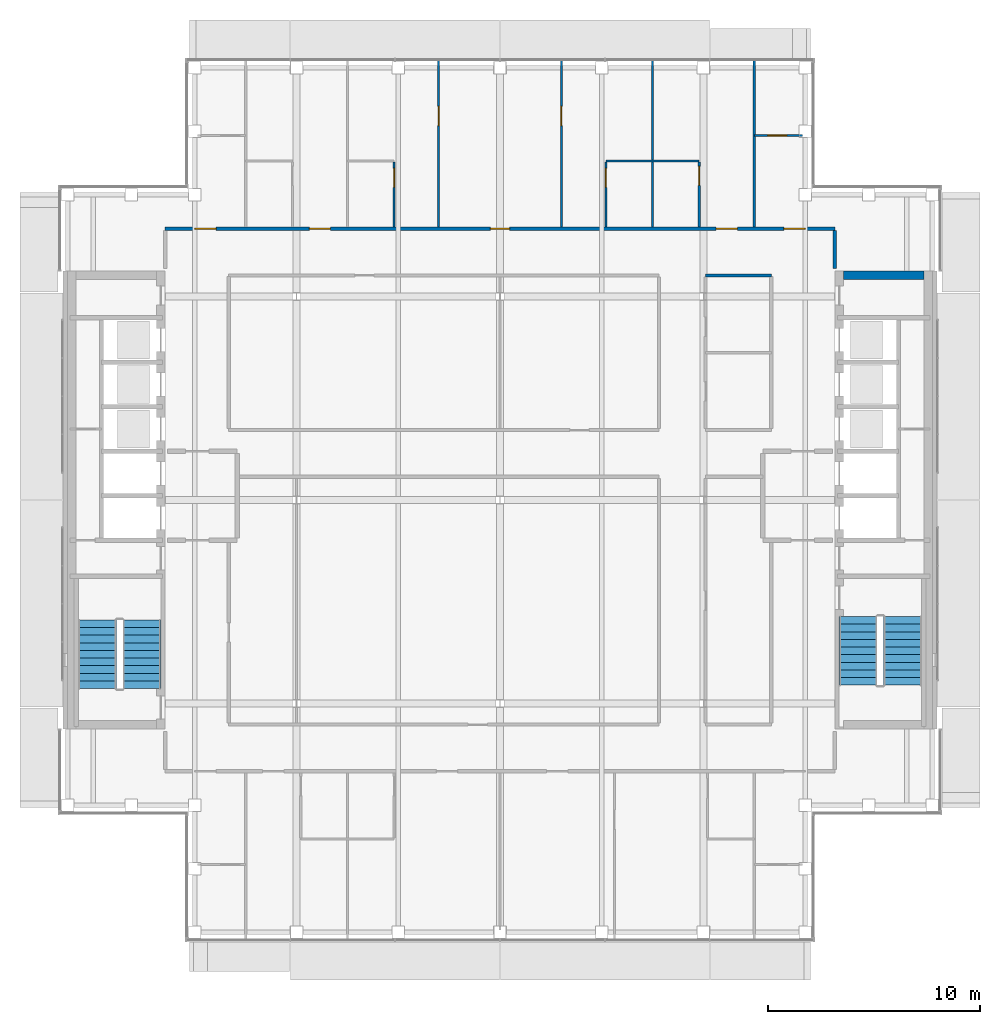
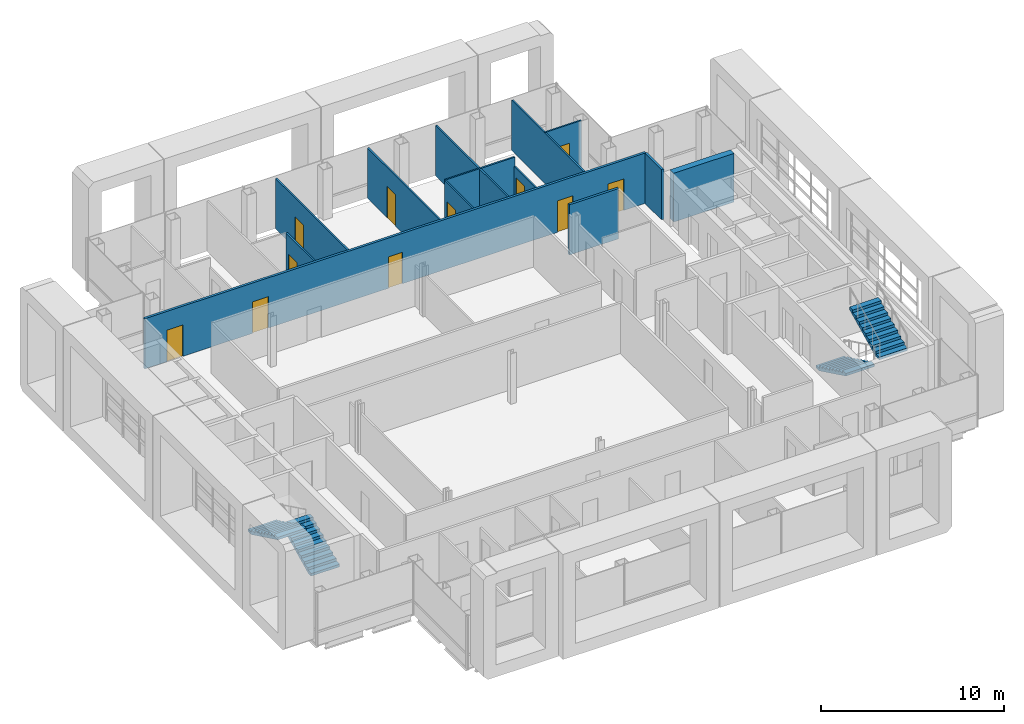
# One storey, part 12 of 21: 14 walls, 11 doors, 4 stair flights, 11 openings, 2 elements without a shape of their own.
"""IFC4 building model written with IfcOpenShell, lengths in metres."""

from ifc_helpers import new_model, si_unit, direction, frame, frame_2d, origin, place, context, subcontext, project, spatial, polyline, rectangle, outline, extrude, material, layer, layer_set, type_object, element, fill, aggregate, save


model = new_model("IFC4")

# Units and contexts
model_context = context("Model", 3, precision=1e-05, world=origin(), true_north=direction((0.0, 1.0)))
body_context = subcontext(model_context, "Body", "Model", "MODEL_VIEW")
ifc_project = project(units=[si_unit("LENGTHUNIT", "METRE"), si_unit("AREAUNIT", "SQUARE_METRE"), si_unit("VOLUMEUNIT", "CUBIC_METRE"), si_unit("PLANEANGLEUNIT", "RADIAN"), si_unit("MASSUNIT", "GRAM", prefix="KILO")], contexts=[model_context])

# Site, building, storey
site_placement = place(None, origin())
site = spatial("IfcSite", under=ifc_project, at=site_placement, CompositionType="ELEMENT")
building_placement = place(site_placement, origin())
building = spatial("IfcBuilding", under=site, at=building_placement, Name="Cobrizo Arcos Hotel Tower", CompositionType="ELEMENT")
storey_placement = place(building_placement, frame((0.0, 0.0, 248.0)))
storey = spatial("IfcBuildingStorey", under=building, at=storey_placement, Name="L65", CompositionType="ELEMENT", Elevation=248.0)

# Wall
ifc_material_1 = material(Name="Gypsum board partition")
ifc_layer_1 = layer(ifc_material_1, 0.14990234375)
ifc_layer_set_1 = layer_set([ifc_layer_1], Name="Corridor wall EI 60 150")
wall_type_1 = type_object("IfcWallType", Name="Corridor wall EI 60 150", PredefinedType="PARTITIONING", material=ifc_layer_set_1)
wall_1_placement = place(storey_placement, frame((9.699951171875, 10.60009765625, 0.0), z_axis=(0.0, 0.0, 1.0), x_axis=(1.0, 0.0, 0.0)))
element("IfcWall", 1, at=wall_1_placement, inside=storey, type_object=wall_type_1, Name="Partition 034", PredefinedType="PARTITIONING", context=body_context, shape_type="SweptSolid", body=[
    extrude(rectangle(XDim=3.10009765625, YDim=0.14990234375, at=frame_2d((1.550048828125, 0.0))), origin(), (0.0, 0.0, 1.0), 3.35009765625),
])

# Wall, openings, doors
wall_2_placement = place(storey_placement, frame((-15.800048828125, 12.800048828125, 0.0), z_axis=(0.0, 0.0, 1.0), x_axis=(1.0, 0.0, 0.0)))
wall_2 = element("IfcWall", 2, at=wall_2_placement, inside=storey, type_object=wall_type_1, Name="Partition 035", PredefinedType="PARTITIONING", context=body_context, shape_type="SweptSolid", body=[
    extrude(rectangle(XDim=31.60009765625, YDim=0.14990234375, at=frame_2d((15.800048828125, 0.0))), origin(), (0.0, 0.0, 1.0), 3.35009765625),
])
opening_1_placement = place(wall_2_placement, frame((6.800048828125, 0.0, 0.0)))
opening_1 = element("IfcOpeningElement", 3, at=opening_1_placement, cuts=wall_2, Name="Opening GD-01", PredefinedType="OPENING", context=body_context, shape_type="SweptSolid", body=[
    extrude(rectangle(XDim=1.0, YDim=2.10009765625, at=frame_2d((0.5, 1.050048828125))), frame((0.0, 0.0869140625, 0.0), z_axis=(0.0, -1.0, 0.0), x_axis=(1.0, 0.0, 0.0)), (0.0, 0.0, 1.0), 0.173828125),
])
opening_2_placement = place(wall_2_placement, frame((15.35009765625, 0.0, 0.0)))
opening_2 = element("IfcOpeningElement", 4, at=opening_2_placement, cuts=wall_2, Name="Opening RD-07", PredefinedType="OPENING", context=body_context, shape_type="SweptSolid", body=[
    extrude(rectangle(XDim=0.89990234375, YDim=2.10009765625, at=frame_2d((0.449951171875, 1.050048828125))), frame((0.0, 0.0869140625, 0.0), z_axis=(0.0, -1.0, 0.0), x_axis=(1.0, 0.0, 0.0)), (0.0, 0.0, 1.0), 0.173828125),
])
opening_3_placement = place(wall_2_placement, frame((26.0, 0.0, 0.0)))
opening_3 = element("IfcOpeningElement", 5, at=opening_3_placement, cuts=wall_2, Name="Opening GD-02", PredefinedType="OPENING", context=body_context, shape_type="SweptSolid", body=[
    extrude(rectangle(XDim=1.0, YDim=2.10009765625, at=frame_2d((0.5, 1.050048828125))), frame((0.0, 0.0869140625, 0.0), z_axis=(0.0, -1.0, 0.0), x_axis=(1.0, 0.0, 0.0)), (0.0, 0.0, 1.0), 0.173828125),
])
opening_4_placement = place(wall_2_placement, frame((1.39990234375, 0.0, 0.0)))
opening_4 = element("IfcOpeningElement", 6, at=opening_4_placement, cuts=wall_2, Name="Opening GD-07", PredefinedType="OPENING", context=body_context, shape_type="SweptSolid", body=[
    extrude(rectangle(XDim=1.0, YDim=2.10009765625, at=frame_2d((0.5, 1.050048828125))), frame((0.0, 0.0869140625, 0.0), z_axis=(0.0, -1.0, 0.0), x_axis=(1.0, 0.0, 0.0)), (0.0, 0.0, 1.0), 0.173828125),
])
opening_5_placement = place(wall_2_placement, frame((29.199951171875, 0.0, 0.0)))
opening_5 = element("IfcOpeningElement", 7, at=opening_5_placement, cuts=wall_2, Name="Opening GD-09", PredefinedType="OPENING", context=body_context, shape_type="SweptSolid", body=[
    extrude(rectangle(XDim=1.0, YDim=2.10009765625, at=frame_2d((0.5, 1.050048828125))), frame((0.0, 0.0869140625, 0.0), z_axis=(0.0, -1.0, 0.0), x_axis=(1.0, 0.0, 0.0)), (0.0, 0.0, 1.0), 0.173828125),
])
ifc_material_2 = material(Name="Timber door leaf", Category="wood")
door_type_1 = type_object("IfcDoorType", Name="Guest room door FD30S 1000x2100", OperationType="SINGLE_SWING_LEFT", PredefinedType="DOOR", material=ifc_material_2)
door_1_placement = place(opening_1_placement, origin())
door_1 = element("IfcDoor", 8, at=door_1_placement, inside=storey, type_object=door_type_1, Name="Door GD-01", OperationType="SINGLE_SWING_LEFT", OverallHeight=2.10009765625, OverallWidth=1.0, PredefinedType="DOOR", context=body_context, shape_type="SweptSolid", body=[
    extrude(rectangle(XDim=1.0, YDim=2.10009765625, at=frame_2d((0.5, 1.050048828125))), frame((0.0, 0.02490234375, 0.0), z_axis=(0.0, -1.0, 0.0), x_axis=(1.0, 0.0, 0.0)), (0.0, 0.0, 1.0), 0.050048828125),
])
fill(opening_1, door_1)
door_2_placement = place(opening_3_placement, origin())
door_2 = element("IfcDoor", 9, at=door_2_placement, inside=storey, type_object=door_type_1, Name="Door GD-02", OperationType="SINGLE_SWING_LEFT", OverallHeight=2.10009765625, OverallWidth=1.0, PredefinedType="DOOR", context=body_context, shape_type="SweptSolid", body=[
    extrude(rectangle(XDim=1.0, YDim=2.10009765625, at=frame_2d((0.5, 1.050048828125))), frame((0.0, 0.02490234375, 0.0), z_axis=(0.0, -1.0, 0.0), x_axis=(1.0, 0.0, 0.0)), (0.0, 0.0, 1.0), 0.050048828125),
])
fill(opening_3, door_2)
door_3_placement = place(opening_4_placement, origin())
door_3 = element("IfcDoor", 10, at=door_3_placement, inside=storey, type_object=door_type_1, Name="Door GD-07", OperationType="SINGLE_SWING_RIGHT", OverallHeight=2.10009765625, OverallWidth=1.0, PredefinedType="DOOR", context=body_context, shape_type="SweptSolid", body=[
    extrude(rectangle(XDim=1.0, YDim=2.10009765625, at=frame_2d((0.5, 1.050048828125))), frame((0.0, 0.02490234375, 0.0), z_axis=(0.0, -1.0, 0.0), x_axis=(1.0, 0.0, 0.0)), (0.0, 0.0, 1.0), 0.050048828125),
])
fill(opening_4, door_3)
door_4_placement = place(opening_5_placement, origin())
door_4 = element("IfcDoor", 11, at=door_4_placement, inside=storey, type_object=door_type_1, Name="Door GD-09", OperationType="SINGLE_SWING_LEFT", OverallHeight=2.10009765625, OverallWidth=1.0, PredefinedType="DOOR", context=body_context, shape_type="SweptSolid", body=[
    extrude(rectangle(XDim=1.0, YDim=2.10009765625, at=frame_2d((0.5, 1.050048828125))), frame((0.0, 0.02490234375, 0.0), z_axis=(0.0, -1.0, 0.0), x_axis=(1.0, 0.0, 0.0)), (0.0, 0.0, 1.0), 0.050048828125),
])
fill(opening_5, door_4)
door_type_2 = type_object("IfcDoorType", Name="Room door FD30 900x2100", OperationType="SINGLE_SWING_LEFT", PredefinedType="DOOR", material=ifc_material_2)
door_5_placement = place(opening_2_placement, origin())
door_5 = element("IfcDoor", 12, at=door_5_placement, inside=storey, type_object=door_type_2, Name="Door RD-07", OperationType="SINGLE_SWING_RIGHT", OverallHeight=2.10009765625, OverallWidth=0.89990234375, PredefinedType="DOOR", context=body_context, shape_type="SweptSolid", body=[
    extrude(rectangle(XDim=0.89990234375, YDim=2.10009765625, at=frame_2d((0.449951171875, 1.050048828125))), frame((0.0, 0.02490234375, 0.0), z_axis=(0.0, -1.0, 0.0), x_axis=(1.0, 0.0, 0.0)), (0.0, 0.0, 1.0), 0.050048828125),
])
fill(opening_2, door_5)

# Walls
wall_3_placement = place(storey_placement, frame((15.800048828125, 10.919921875, 0.0), z_axis=(0.0, 0.0, 1.0), x_axis=(0.0, 1.0, 0.0)))
element("IfcWall", 13, at=wall_3_placement, inside=storey, type_object=wall_type_1, Name="Partition 090", PredefinedType="PARTITIONING", context=body_context, shape_type="SweptSolid", body=[
    extrude(rectangle(XDim=1.80517578125, YDim=0.14990234375, at=frame_2d((0.902587890625, 0.0))), origin(), (0.0, 0.0, 1.0), 3.35009765625),
])
ifc_layer_2 = layer(ifc_material_1, 0.10009765625)
ifc_layer_set_2 = layer_set([ifc_layer_2], Name="Partition EI 30 100")
wall_type_2 = type_object("IfcWallType", Name="Partition EI 30 100", PredefinedType="PARTITIONING", material=ifc_layer_set_2)
wall_4_placement = place(storey_placement, frame((5.0, 16.0, 0.0), z_axis=(0.0, 0.0, 1.0), x_axis=(1.0, 0.0, 0.0)))
element("IfcWall", 14, at=wall_4_placement, inside=storey, type_object=wall_type_2, Name="Partition 038", PredefinedType="PARTITIONING", context=body_context, shape_type="SweptSolid", body=[
    extrude(rectangle(XDim=4.39990234375, YDim=0.10009765625, at=frame_2d((2.199951171875, 0.0))), origin(), (0.0, 0.0, 1.0), 3.35009765625),
])

# Wall, opening, door
wall_5_placement = place(storey_placement, frame((12.0, 17.199951171875, 0.0), z_axis=(0.0, 0.0, 1.0), x_axis=(1.0, 0.0, 0.0)))
wall_5 = element("IfcWall", 15, at=wall_5_placement, inside=storey, type_object=wall_type_2, Name="Partition 040", PredefinedType="PARTITIONING", context=body_context, shape_type="SweptSolid", body=[
    extrude(rectangle(XDim=2.280029296875, YDim=0.10009765625, at=frame_2d((1.14013671875, 0.0))), origin(), (0.0, 0.0, 1.0), 3.35009765625),
])
opening_6_placement = place(wall_5_placement, frame((0.6298828125, 0.0, 0.0)))
opening_6 = element("IfcOpeningElement", 16, at=opening_6_placement, cuts=wall_5, Name="Opening ED-11", PredefinedType="OPENING", context=body_context, shape_type="SweptSolid", body=[
    extrude(rectangle(XDim=0.89990234375, YDim=2.10009765625, at=frame_2d((0.449951171875, 1.050048828125))), frame((0.0, 0.06201171875, 0.0), z_axis=(0.0, -1.0, 0.0), x_axis=(1.0, 0.0, 0.0)), (0.0, 0.0, 1.0), 0.1240234375),
])
door_type_3 = type_object("IfcDoorType", Name="En-suite door 900x2100", OperationType="SINGLE_SWING_LEFT", PredefinedType="DOOR", material=ifc_material_2)
door_6_placement = place(opening_6_placement, origin())
door_6 = element("IfcDoor", 17, at=door_6_placement, inside=storey, type_object=door_type_3, Name="Door ED-11", OperationType="SINGLE_SWING_LEFT", OverallHeight=2.10009765625, OverallWidth=0.89990234375, PredefinedType="DOOR", context=body_context, shape_type="SweptSolid", body=[
    extrude(rectangle(XDim=0.89990234375, YDim=2.10009765625, at=frame_2d((0.449951171875, 1.050048828125))), frame((0.0, 0.02490234375, 0.0), z_axis=(0.0, -1.0, 0.0), x_axis=(1.0, 0.0, 0.0)), (0.0, 0.0, 1.0), 0.050048828125),
])
fill(opening_6, door_6)

wall_6_placement = place(storey_placement, frame((-5.0, 12.875, 0.0), z_axis=(0.0, 0.0, 1.0), x_axis=(0.0, 1.0, 0.0)))
wall_6 = element("IfcWall", 18, at=wall_6_placement, inside=storey, type_object=wall_type_2, Name="Partition 061", PredefinedType="PARTITIONING", context=body_context, shape_type="SweptSolid", body=[
    extrude(rectangle(XDim=3.074951171875, YDim=0.10009765625, at=frame_2d((1.53759765625, 0.0))), origin(), (0.0, 0.0, 1.0), 3.35009765625),
])
opening_7_placement = place(wall_6_placement, frame((1.875, 0.0, 0.0)))
opening_7 = element("IfcOpeningElement", 19, at=opening_7_placement, cuts=wall_6, Name="Opening ED-02", PredefinedType="OPENING", context=body_context, shape_type="SweptSolid", body=[
    extrude(rectangle(XDim=0.89990234375, YDim=2.10009765625, at=frame_2d((0.449951171875, 1.050048828125))), frame((0.0, 0.06201171875, 0.0), z_axis=(0.0, -1.0, 0.0), x_axis=(1.0, 0.0, 0.0)), (0.0, 0.0, 1.0), 0.1240234375),
])
door_7_placement = place(opening_7_placement, origin())
door_7 = element("IfcDoor", 20, at=door_7_placement, inside=storey, type_object=door_type_3, Name="Door ED-02", OperationType="SINGLE_SWING_RIGHT", OverallHeight=2.10009765625, OverallWidth=0.89990234375, PredefinedType="DOOR", context=body_context, shape_type="SweptSolid", body=[
    extrude(rectangle(XDim=0.89990234375, YDim=2.10009765625, at=frame_2d((0.449951171875, 1.050048828125))), frame((0.0, 0.02490234375, 0.0), z_axis=(0.0, -1.0, 0.0), x_axis=(1.0, 0.0, 0.0)), (0.0, 0.0, 1.0), 0.050048828125),
])
fill(opening_7, door_7)

wall_7_placement = place(storey_placement, frame((-2.89990234375, 12.875, 0.0), z_axis=(0.0, 0.0, 1.0), x_axis=(0.0, 1.0, 0.0)))
wall_7 = element("IfcWall", 21, at=wall_7_placement, inside=storey, type_object=wall_type_2, Name="Partition 062", PredefinedType="PARTITIONING", context=body_context, shape_type="SweptSolid", body=[
    extrude(rectangle(XDim=7.85498046875, YDim=0.10009765625, at=frame_2d((3.927490234375, 0.0))), origin(), (0.0, 0.0, 1.0), 3.35009765625),
])
opening_8_placement = place(wall_7_placement, frame((4.794921875, 0.0, 0.0)))
opening_8 = element("IfcOpeningElement", 22, at=opening_8_placement, cuts=wall_7, Name="Opening RD-08", PredefinedType="OPENING", context=body_context, shape_type="SweptSolid", body=[
    extrude(rectangle(XDim=0.89990234375, YDim=2.10009765625, at=frame_2d((0.449951171875, 1.050048828125))), frame((0.0, 0.06201171875, 0.0), z_axis=(0.0, -1.0, 0.0), x_axis=(1.0, 0.0, 0.0)), (0.0, 0.0, 1.0), 0.1240234375),
])
door_8_placement = place(opening_8_placement, origin())
door_8 = element("IfcDoor", 23, at=door_8_placement, inside=storey, type_object=door_type_2, Name="Door RD-08", OperationType="SINGLE_SWING_LEFT", OverallHeight=2.10009765625, OverallWidth=0.89990234375, PredefinedType="DOOR", context=body_context, shape_type="SweptSolid", body=[
    extrude(rectangle(XDim=0.89990234375, YDim=2.10009765625, at=frame_2d((0.449951171875, 1.050048828125))), frame((0.0, 0.02490234375, 0.0), z_axis=(0.0, -1.0, 0.0), x_axis=(1.0, 0.0, 0.0)), (0.0, 0.0, 1.0), 0.050048828125),
])
fill(opening_8, door_8)

wall_8_placement = place(storey_placement, frame((2.89990234375, 12.875, 0.0), z_axis=(0.0, 0.0, 1.0), x_axis=(0.0, 1.0, 0.0)))
wall_8 = element("IfcWall", 24, at=wall_8_placement, inside=storey, type_object=wall_type_2, Name="Partition 067", PredefinedType="PARTITIONING", context=body_context, shape_type="SweptSolid", body=[
    extrude(rectangle(XDim=7.85498046875, YDim=0.10009765625, at=frame_2d((3.927490234375, 0.0))), origin(), (0.0, 0.0, 1.0), 3.35009765625),
])
opening_9_placement = place(wall_8_placement, frame((4.794921875, 0.0, 0.0)))
opening_9 = element("IfcOpeningElement", 25, at=opening_9_placement, cuts=wall_8, Name="Opening RD-09", PredefinedType="OPENING", context=body_context, shape_type="SweptSolid", body=[
    extrude(rectangle(XDim=0.89990234375, YDim=2.10009765625, at=frame_2d((0.449951171875, 1.050048828125))), frame((0.0, 0.06201171875, 0.0), z_axis=(0.0, -1.0, 0.0), x_axis=(1.0, 0.0, 0.0)), (0.0, 0.0, 1.0), 0.1240234375),
])
door_9_placement = place(opening_9_placement, origin())
door_9 = element("IfcDoor", 26, at=door_9_placement, inside=storey, type_object=door_type_2, Name="Door RD-09", OperationType="SINGLE_SWING_LEFT", OverallHeight=2.10009765625, OverallWidth=0.89990234375, PredefinedType="DOOR", context=body_context, shape_type="SweptSolid", body=[
    extrude(rectangle(XDim=0.89990234375, YDim=2.10009765625, at=frame_2d((0.449951171875, 1.050048828125))), frame((0.0, 0.02490234375, 0.0), z_axis=(0.0, -1.0, 0.0), x_axis=(1.0, 0.0, 0.0)), (0.0, 0.0, 1.0), 0.050048828125),
])
fill(opening_9, door_9)

wall_9_placement = place(storey_placement, frame((5.0, 12.875, 0.0), z_axis=(0.0, 0.0, 1.0), x_axis=(0.0, 1.0, 0.0)))
wall_9 = element("IfcWall", 27, at=wall_9_placement, inside=storey, type_object=wall_type_2, Name="Partition 068", PredefinedType="PARTITIONING", context=body_context, shape_type="SweptSolid", body=[
    extrude(rectangle(XDim=3.074951171875, YDim=0.10009765625, at=frame_2d((1.53759765625, 0.0))), origin(), (0.0, 0.0, 1.0), 3.35009765625),
])
opening_10_placement = place(wall_9_placement, frame((1.875, 0.0, 0.0)))
opening_10 = element("IfcOpeningElement", 28, at=opening_10_placement, cuts=wall_9, Name="Opening ED-03", PredefinedType="OPENING", context=body_context, shape_type="SweptSolid", body=[
    extrude(rectangle(XDim=0.89990234375, YDim=2.10009765625, at=frame_2d((0.449951171875, 1.050048828125))), frame((0.0, 0.06201171875, 0.0), z_axis=(0.0, -1.0, 0.0), x_axis=(1.0, 0.0, 0.0)), (0.0, 0.0, 1.0), 0.1240234375),
])
door_10_placement = place(opening_10_placement, origin())
door_10 = element("IfcDoor", 29, at=door_10_placement, inside=storey, type_object=door_type_3, Name="Door ED-03", OperationType="SINGLE_SWING_RIGHT", OverallHeight=2.10009765625, OverallWidth=0.89990234375, PredefinedType="DOOR", context=body_context, shape_type="SweptSolid", body=[
    extrude(rectangle(XDim=0.89990234375, YDim=2.10009765625, at=frame_2d((0.449951171875, 1.050048828125))), frame((0.0, 0.02490234375, 0.0), z_axis=(0.0, -1.0, 0.0), x_axis=(1.0, 0.0, 0.0)), (0.0, 0.0, 1.0), 0.050048828125),
])
fill(opening_10, door_10)

# Walls
wall_10_placement = place(storey_placement, frame((7.199951171875, 12.875, 0.0), z_axis=(0.0, 0.0, 1.0), x_axis=(0.0, 1.0, 0.0)))
element("IfcWall", 30, at=wall_10_placement, inside=storey, type_object=wall_type_2, Name="Partition 070", PredefinedType="PARTITIONING", context=body_context, shape_type="SweptSolid", body=[
    extrude(rectangle(XDim=3.074951171875, YDim=0.10009765625, at=frame_2d((1.53759765625, 0.0))), origin(), (0.0, 0.0, 1.0), 3.35009765625),
])
wall_11_placement = place(storey_placement, frame((7.199951171875, 16.050048828125, 0.0), z_axis=(0.0, 0.0, 1.0), x_axis=(0.0, 1.0, 0.0)))
element("IfcWall", 31, at=wall_11_placement, inside=storey, type_object=wall_type_2, Name="Partition 071", PredefinedType="PARTITIONING", context=body_context, shape_type="SweptSolid", body=[
    extrude(rectangle(XDim=4.679931640625, YDim=0.10009765625, at=frame_2d((2.33984375, 0.0))), origin(), (0.0, 0.0, 1.0), 3.35009765625),
])

# Wall, opening, door
wall_12_placement = place(storey_placement, frame((9.39990234375, 12.875, 0.0), z_axis=(0.0, 0.0, 1.0), x_axis=(0.0, 1.0, 0.0)))
wall_12 = element("IfcWall", 32, at=wall_12_placement, inside=storey, type_object=wall_type_2, Name="Partition 074", PredefinedType="PARTITIONING", context=body_context, shape_type="SweptSolid", body=[
    extrude(rectangle(XDim=3.074951171875, YDim=0.10009765625, at=frame_2d((1.53759765625, 0.0))), origin(), (0.0, 0.0, 1.0), 2.72802734375),
])
opening_11_placement = place(wall_12_placement, frame((1.970947265625, 0.0, 0.0)))
opening_11 = element("IfcOpeningElement", 33, at=opening_11_placement, cuts=wall_12, Name="Opening ED-04", PredefinedType="OPENING", context=body_context, shape_type="SweptSolid", body=[
    extrude(rectangle(XDim=0.89990234375, YDim=2.10009765625, at=frame_2d((0.449951171875, 1.050048828125))), frame((0.0, 0.06201171875, 0.0), z_axis=(0.0, -1.0, 0.0), x_axis=(1.0, 0.0, 0.0)), (0.0, 0.0, 1.0), 0.1240234375),
])
door_11_placement = place(opening_11_placement, origin())
door_11 = element("IfcDoor", 34, at=door_11_placement, inside=storey, type_object=door_type_3, Name="Door ED-04", OperationType="SINGLE_SWING_LEFT", OverallHeight=2.10009765625, OverallWidth=0.89990234375, PredefinedType="DOOR", context=body_context, shape_type="SweptSolid", body=[
    extrude(rectangle(XDim=0.89990234375, YDim=2.10009765625, at=frame_2d((0.449951171875, 1.050048828125))), frame((0.0, 0.02490234375, 0.0), z_axis=(0.0, -1.0, 0.0), x_axis=(1.0, 0.0, 0.0)), (0.0, 0.0, 1.0), 0.050048828125),
])
fill(opening_11, door_11)

# Walls
wall_13_placement = place(storey_placement, frame((12.0, 12.875, 0.0), z_axis=(0.0, 0.0, 1.0), x_axis=(0.0, 1.0, 0.0)))
element("IfcWall", 35, at=wall_13_placement, inside=storey, type_object=wall_type_2, Name="Partition 085", PredefinedType="PARTITIONING", context=body_context, shape_type="SweptSolid", body=[
    extrude(rectangle(XDim=7.85498046875, YDim=0.10009765625, at=frame_2d((3.927490234375, 0.0))), origin(), (0.0, 0.0, 1.0), 3.35009765625),
])
ifc_material_3 = material(Name="Concrete f'c 40 MPa", Category="concrete")
ifc_layer_3 = layer(ifc_material_3, 0.39990234375)
ifc_layer_set_3 = layer_set([ifc_layer_3], Name="RC core wall 400 f'c 40")
wall_type_3 = type_object("IfcWallType", Name="RC core wall 400 f'c 40", PredefinedType="SHEAR", material=ifc_layer_set_3)
wall_14_placement = place(storey_placement, frame((16.199951171875, 10.60009765625, 0.0), z_axis=(0.0, 0.0, 1.0), x_axis=(1.0, 0.0, 0.0)))
element("IfcWall", 36, at=wall_14_placement, inside=storey, type_object=wall_type_3, Name="Core wall CW4, east core, north end, L65", PredefinedType="SHEAR", context=body_context, shape_type="SweptSolid", body=[
    extrude(rectangle(XDim=3.800048828125, YDim=0.39990234375, at=frame_2d((1.89990234375, 0.0))), origin(), (0.0, 0.0, 1.0), 3.25),
])

# Stair, stair flights
stair_type = type_object("IfcStairType", Name="Exit stair", PredefinedType="HALF_TURN_STAIR", material=ifc_material_3)
stair_1_placement = place(storey_placement, origin())
stair_1 = element("IfcStair", 37, at=stair_1_placement, inside=storey, type_object=stair_type, Name="L65 Exit stair ST-W", PredefinedType="HALF_TURN_STAIR")
stair_flight_type = type_object("IfcStairFlightType", Name="Exit stair flight", PredefinedType="STRAIGHT", material=ifc_material_3)
stair_flight_1_placement = place(storey_placement, frame((-16.89990234375, -8.89990234375, 0.0), z_axis=(0.0, 0.0, 1.0), x_axis=(0.0, 1.0, 0.0)))
stair_flight_1 = element("IfcStairFlight", 38, at=stair_flight_1_placement, type_object=stair_flight_type, Name="ST-W flight 1", NumberOfRisers=10, NumberOfTreads=9, PredefinedType="STRAIGHT", RiserHeight=0.175, TreadLength=0.36, context=body_context, shape_type="SweptSolid", body=[
    extrude(outline(polyline([(0.0, 0.0), (0.0, 0.175048828125), (0.360107421875, 0.175048828125), (0.360107421875, 0.35009765625), (0.719970703125, 0.35009765625), (0.719970703125, 0.52490234375), (1.080078125, 0.52490234375), (1.080078125, 0.699951171875), (1.43994140625, 0.699951171875), (1.43994140625, 0.875), (1.800048828125, 0.875), (1.800048828125, 1.050048828125), (2.159912109375, 1.050048828125), (2.159912109375, 1.22509765625), (2.52001953125, 1.22509765625), (2.52001953125, 1.39990234375), (2.8798828125, 1.39990234375), (2.8798828125, 1.574951171875), (3.239990234375, 1.574951171875), (3.239990234375, 1.75), (3.239990234375, 1.408203125), (0.3427734375, 0.0), (0.0, 0.0)])), frame((0.0, 0.89990234375, 0.0), z_axis=(0.0, -1.0, 0.0), x_axis=(1.0, 0.0, 0.0)), (0.0, 0.0, 1.0), 1.800048828125),
])
stair_flight_2_placement = place(storey_placement, frame((-19.0, -5.659912109375, 1.75), z_axis=(0.0, 0.0, 1.0), x_axis=(0.0, -1.0, 0.0)))
stair_flight_2 = element("IfcStairFlight", 39, at=stair_flight_2_placement, type_object=stair_flight_type, Name="ST-W flight 2", NumberOfRisers=10, NumberOfTreads=9, PredefinedType="STRAIGHT", RiserHeight=0.175, TreadLength=0.36, context=body_context, shape_type="SweptSolid", body=[
    extrude(outline(polyline([(0.0, 0.0), (0.0, 0.175048828125), (0.360107421875, 0.175048828125), (0.360107421875, 0.35009765625), (0.719970703125, 0.35009765625), (0.719970703125, 0.52490234375), (1.080078125, 0.52490234375), (1.080078125, 0.699951171875), (1.43994140625, 0.699951171875), (1.43994140625, 0.875), (1.800048828125, 0.875), (1.800048828125, 1.050048828125), (2.159912109375, 1.050048828125), (2.159912109375, 1.22509765625), (2.52001953125, 1.22509765625), (2.52001953125, 1.39990234375), (2.8798828125, 1.39990234375), (2.8798828125, 1.574951171875), (3.239990234375, 1.574951171875), (3.239990234375, 1.75), (3.239990234375, 1.408203125), (0.3427734375, 0.0), (0.0, 0.0)])), frame((0.0, 0.89990234375, 0.0), z_axis=(0.0, -1.0, 0.0), x_axis=(1.0, 0.0, 0.0)), (0.0, 0.0, 1.0), 1.800048828125),
])
aggregate(stair_1, [stair_flight_1, stair_flight_2])

stair_2_placement = place(storey_placement, origin())
stair_2 = element("IfcStair", 40, at=stair_2_placement, inside=storey, type_object=stair_type, Name="L65 Exit stair ST-E", PredefinedType="HALF_TURN_STAIR")
stair_flight_3_placement = place(storey_placement, frame((16.89990234375, -5.5, 0.0), z_axis=(0.0, 0.0, 1.0), x_axis=(0.0, -1.0, 0.0)))
stair_flight_3 = element("IfcStairFlight", 41, at=stair_flight_3_placement, type_object=stair_flight_type, Name="ST-E flight 1", NumberOfRisers=10, NumberOfTreads=9, PredefinedType="STRAIGHT", RiserHeight=0.175, TreadLength=0.36, context=body_context, shape_type="SweptSolid", body=[
    extrude(outline(polyline([(0.0, 0.0), (0.0, 0.175048828125), (0.360107421875, 0.175048828125), (0.360107421875, 0.35009765625), (0.719970703125, 0.35009765625), (0.719970703125, 0.52490234375), (1.080078125, 0.52490234375), (1.080078125, 0.699951171875), (1.43994140625, 0.699951171875), (1.43994140625, 0.875), (1.800048828125, 0.875), (1.800048828125, 1.050048828125), (2.159912109375, 1.050048828125), (2.159912109375, 1.22509765625), (2.52001953125, 1.22509765625), (2.52001953125, 1.39990234375), (2.8798828125, 1.39990234375), (2.8798828125, 1.574951171875), (3.239990234375, 1.574951171875), (3.239990234375, 1.75), (3.239990234375, 1.408203125), (0.3427734375, 0.0), (0.0, 0.0)])), frame((0.0, 0.89990234375, 0.0), z_axis=(0.0, -1.0, 0.0), x_axis=(1.0, 0.0, 0.0)), (0.0, 0.0, 1.0), 1.800048828125),
])
stair_flight_4_placement = place(storey_placement, frame((19.0, -8.739990234375, 1.75), z_axis=(0.0, 0.0, 1.0), x_axis=(0.0, 1.0, 0.0)))
stair_flight_4 = element("IfcStairFlight", 42, at=stair_flight_4_placement, type_object=stair_flight_type, Name="ST-E flight 2", NumberOfRisers=10, NumberOfTreads=9, PredefinedType="STRAIGHT", RiserHeight=0.175, TreadLength=0.36, context=body_context, shape_type="SweptSolid", body=[
    extrude(outline(polyline([(0.0, 0.0), (0.0, 0.175048828125), (0.360107421875, 0.175048828125), (0.360107421875, 0.35009765625), (0.719970703125, 0.35009765625), (0.719970703125, 0.52490234375), (1.080078125, 0.52490234375), (1.080078125, 0.699951171875), (1.43994140625, 0.699951171875), (1.43994140625, 0.875), (1.800048828125, 0.875), (1.800048828125, 1.050048828125), (2.159912109375, 1.050048828125), (2.159912109375, 1.22509765625), (2.52001953125, 1.22509765625), (2.52001953125, 1.39990234375), (2.8798828125, 1.39990234375), (2.8798828125, 1.574951171875), (3.239990234375, 1.574951171875), (3.239990234375, 1.75), (3.239990234375, 1.408203125), (0.3427734375, 0.0), (0.0, 0.0)])), frame((0.0, 0.89990234375, 0.0), z_axis=(0.0, -1.0, 0.0), x_axis=(1.0, 0.0, 0.0)), (0.0, 0.0, 1.0), 1.800048828125),
])
aggregate(stair_2, [stair_flight_3, stair_flight_4])

save(model, "model.ifc")
